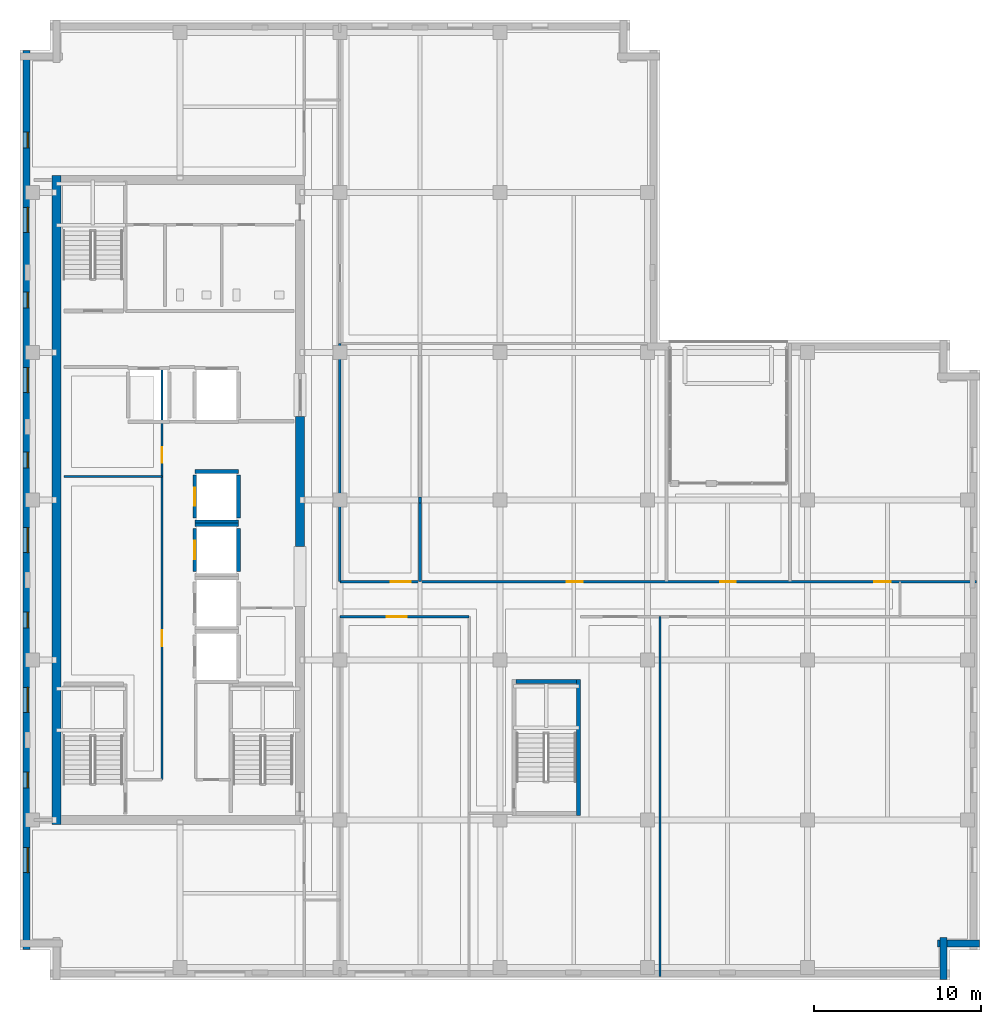
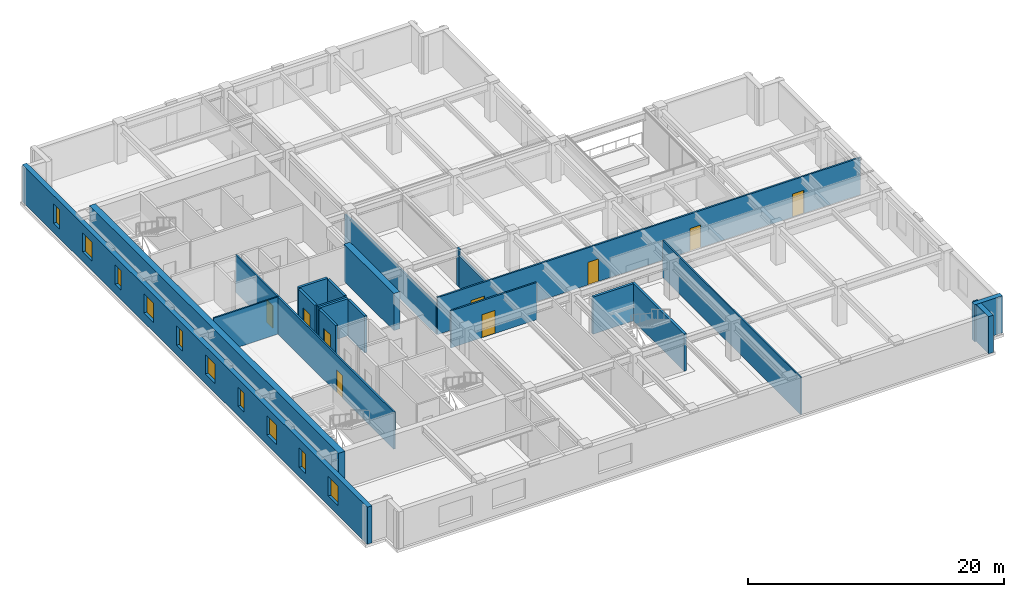
# One storey, part 4 of 14: 22 walls, 10 windows, 9 doors, 19 openings.
"""IFC4 building model written with IfcOpenShell, lengths in metres."""

import ifcopenshell
import ifcopenshell.guid

model = None  # the IFC model being written
_history = None  # IfcOwnerHistory: only IFC2X3 demands one
_inside = {}  # id of a spatial element -> (the spatial element, [elements in it])
_under = {}  # id of a project, library or spatial element -> (it, [spatial elements below it])
_declared = {}  # id of a project -> (the project, [libraries it declares])
_typed = {}  # id of a type object -> (the type object, [elements of that type])
_made_of = {}  # id of a material, layer set ... -> (it, [elements and type objects made of it])


def new_model(schema):
    """Start an empty IFC model of exactly this schema.

    Asked for "IFC4X3", IfcOpenShell would pick the latest addendum, in which some entities
    have other attributes; the version numbers below select the first issue.
    IFC2X3 requires an IfcOwnerHistory on every rooted entity: one is made here for all.
    """
    global model, _history
    if schema == "IFC4X3":
        model = ifcopenshell.file(schema_version=(4, 3, 0, 0))
    else:
        model = ifcopenshell.file(schema=schema)
    _inside.clear()
    _under.clear()
    _declared.clear()
    _typed.clear()
    _made_of.clear()
    _history = None
    if model.schema == "IFC2X3":
        org = make("IfcOrganization", Name="unknown")
        user = make(
            "IfcPersonAndOrganization",
            ThePerson=make("IfcPerson", FamilyName="unknown"),
            TheOrganization=org,
        )
        app = make(
            "IfcApplication",
            ApplicationDeveloper=org,
            Version="unknown",
            ApplicationFullName="unknown",
            ApplicationIdentifier="unknown",
        )
        _history = make(
            "IfcOwnerHistory",
            OwningUser=user,
            OwningApplication=app,
            ChangeAction="ADDED",
            CreationDate=0,
        )
    return model


def make(cls, **values):
    """One entity of the class cls with the attributes given. An attribute that is None is left unset."""
    return model.create_entity(
        cls, **{name: value for name, value in values.items() if value is not None}
    )


def rooted(cls, **values):
    """An entity with a GlobalId (a new one), such as an element, a storey or a relation."""
    return make(cls, GlobalId=ifcopenshell.guid.new(), OwnerHistory=_history, **values)


def si_unit(unit_type, name, prefix=None):
    """IfcSIUnit, for example si_unit("LENGTHUNIT", "METRE", prefix="MILLI")."""
    return make("IfcSIUnit", UnitType=unit_type, Prefix=prefix, Name=name)


def assignment(units):
    """IfcUnitAssignment: the units of a project."""
    return None if units is None else make("IfcUnitAssignment", Units=units)


def point(xyz):
    """IfcCartesianPoint."""
    return None if xyz is None else make("IfcCartesianPoint", Coordinates=xyz)


def direction(xyz):
    """IfcDirection."""
    return None if xyz is None else make("IfcDirection", DirectionRatios=xyz)


def frame(location, z_axis=None, x_axis=None):
    """IfcAxis2Placement3D, a coordinate frame: its origin and axes. An axis left out is left unset."""
    return make(
        "IfcAxis2Placement3D",
        Location=point(location),
        Axis=direction(z_axis),
        RefDirection=direction(x_axis),
    )


def frame_2d(location, x_axis=None):
    """IfcAxis2Placement2D, a coordinate frame in the plane: its origin and x axis."""
    return make(
        "IfcAxis2Placement2D", Location=point(location), RefDirection=direction(x_axis)
    )


def origin():
    """The frame at (0, 0, 0) with its axes left unset."""
    return frame((0.0, 0.0, 0.0))


def place(relative_to, where):
    """IfcLocalPlacement: puts the frame where relative to a parent placement (None: the world)."""
    return make(
        "IfcLocalPlacement", PlacementRelTo=relative_to, RelativePlacement=where
    )


def context(
    kind, dimensions, precision=None, world=None, true_north=None, identifier=None
):
    """IfcGeometricRepresentationContext, for example the 3D "Model" context."""
    return make(
        "IfcGeometricRepresentationContext",
        ContextIdentifier=identifier,
        ContextType=kind,
        CoordinateSpaceDimension=dimensions,
        Precision=precision,
        WorldCoordinateSystem=world,
        TrueNorth=true_north,
    )


def subcontext(parent, identifier, kind, view, scale=None):
    """IfcGeometricRepresentationSubContext, for example "Body" below "Model"."""
    return make(
        "IfcGeometricRepresentationSubContext",
        ContextIdentifier=identifier,
        ContextType=kind,
        ParentContext=parent,
        TargetScale=scale,
        TargetView=view,
    )


def project(units=None, contexts=None):
    """IfcProject with its units and contexts."""
    return rooted(
        "IfcProject",
        Name="project",
        RepresentationContexts=contexts,
        UnitsInContext=assignment(units),
    )


def spatial(cls, under=None, at=None, **own):
    """A site, building, storey or space (cls), placed at a placement, below another one or the project."""
    s = rooted(cls, ObjectPlacement=at, **own)
    if under is not None:
        _under.setdefault(under.id(), (under, []))[1].append(s)
    return s


def profile(cls, at=None, kind="AREA", **sizes):
    """A parametric profile (cls). Its sizes go by their IFC names, for example OverallWidth=200.0."""
    return make(cls, ProfileType=kind, Position=at, **sizes)


def rectangle(**sizes):
    """IfcRectangleProfileDef."""
    return profile("IfcRectangleProfileDef", **sizes)


def extrude(swept, where, along, depth):
    """IfcExtrudedAreaSolid: the profile swept, set in the frame where, extruded along a direction by depth."""
    return make(
        "IfcExtrudedAreaSolid",
        SweptArea=swept,
        Position=where,
        ExtrudedDirection=direction(along),
        Depth=depth,
    )


def shape(context_of_items, identifier, shape_type, items):
    """IfcShapeRepresentation: the items that make up one representation, for example the "Body"."""
    return make(
        "IfcShapeRepresentation",
        ContextOfItems=context_of_items,
        RepresentationIdentifier=identifier,
        RepresentationType=shape_type,
        Items=items,
    )


def material(Name=None, Category=None):
    """IfcMaterial."""
    return make("IfcMaterial", Name=Name, Category=Category)


def layer(
    of_material, thickness, ventilated=None, Name=None, Category=None, Priority=None
):
    """IfcMaterialLayer: one layer of a wall or slab, of a material (None: an air gap)."""
    return make(
        "IfcMaterialLayer",
        Material=of_material,
        LayerThickness=thickness,
        IsVentilated=ventilated,
        Name=Name,
        Category=Category,
        Priority=Priority,
    )


def layer_set(layers, Name=None):
    """IfcMaterialLayerSet."""
    return make("IfcMaterialLayerSet", MaterialLayers=layers, LayerSetName=Name)


def made_of(thing, what):
    """Note that an element or type object is made of a material, layer set ...; save() writes the relation."""
    if what is not None:
        _made_of.setdefault(what.id(), (what, []))[1].append(thing)
    return thing


def type_object(cls, material=None, **own):
    """A type object (cls), such as IfcWallType, which elements share."""
    return made_of(rooted(cls, **own), material)


def element(
    cls,
    number,
    at=None,
    inside=None,
    cuts=None,
    type_object=None,
    material=None,
    context=None,
    identifier="Body",
    shape_type=None,
    held_by="IfcProductDefinitionShape",
    body=None,
    shapes=None,
    **own,
):
    """One element of the class cls, such as IfcWall. Its Tag is "e" and its number.

    at: its placement. inside: the storey or other place that contains it. cuts: it is an
    opening in that element (IfcRelVoidsElement). A single representation is given by context,
    identifier, shape_type and body (its items); several are given by shapes. held_by: the class
    of the entity that holds the representations. save() writes the other relations.
    """
    e = rooted(cls, Tag="e%d" % number, ObjectPlacement=at, **own)
    if body is not None:
        shapes = [shape(context, identifier, shape_type, body)]
    if shapes is not None:
        e.Representation = make(held_by, Representations=shapes)
    if inside is not None:
        _inside.setdefault(inside.id(), (inside, []))[1].append(e)
    if cuts is not None:
        rooted(
            "IfcRelVoidsElement", RelatingBuildingElement=cuts, RelatedOpeningElement=e
        )
    if type_object is not None:
        _typed.setdefault(type_object.id(), (type_object, []))[1].append(e)
    return made_of(e, material)


def fill(opening, filler):
    """IfcRelFillsElement: the door or window that sits in an opening."""
    return rooted(
        "IfcRelFillsElement",
        RelatingOpeningElement=opening,
        RelatedBuildingElement=filler,
    )


def aggregate(whole, parts):
    """IfcRelAggregates: a whole, such as a stair, and the parts it consists of."""
    return rooted("IfcRelAggregates", RelatingObject=whole, RelatedObjects=parts)


def save(model, path):
    """Write the relations noted so far, then the file.

    IfcRelAggregates (storeys below a building ...), IfcRelContainedInSpatialStructure (elements
    in a storey), IfcRelDefinesByType, IfcRelAssociatesMaterial and IfcRelDeclares: one each for
    every whole, place, type object, material and project.
    """
    for whole, parts in _under.values():
        aggregate(whole, parts)
    for where, things in _inside.values():
        rooted(
            "IfcRelContainedInSpatialStructure",
            RelatedElements=things,
            RelatingStructure=where,
        )
    for kind, things in _typed.values():
        rooted("IfcRelDefinesByType", RelatedObjects=things, RelatingType=kind)
    for what, things in _made_of.values():
        rooted("IfcRelAssociatesMaterial", RelatedObjects=things, RelatingMaterial=what)
    for by, libraries in _declared.values():
        rooted("IfcRelDeclares", RelatingContext=by, RelatedDefinitions=libraries)
    model.write(path)


model = new_model("IFC4")

# Units and contexts
model_context = context("Model", 3, precision=1e-05, world=origin(), true_north=direction((0.0, 1.0)))
body_context = subcontext(model_context, "Body", "Model", "MODEL_VIEW")
ifc_project = project(units=[si_unit("LENGTHUNIT", "METRE"), si_unit("AREAUNIT", "SQUARE_METRE"), si_unit("VOLUMEUNIT", "CUBIC_METRE"), si_unit("PLANEANGLEUNIT", "RADIAN"), si_unit("MASSUNIT", "GRAM", prefix="KILO")], contexts=[model_context])

# Site, building, storey
site_placement = place(None, origin())
site = spatial("IfcSite", under=ifc_project, at=site_placement, CompositionType="ELEMENT")
building_placement = place(site_placement, origin())
building = spatial("IfcBuilding", under=site, at=building_placement, Name="Norrvale University Quadrangle", CompositionType="ELEMENT")
storey_placement = place(building_placement, frame((0.0, 0.0, 221.800048828125)))
storey = spatial("IfcBuildingStorey", under=building, at=storey_placement, Name="L56", CompositionType="ELEMENT", Elevation=221.800048828125)

# Walls
ifc_material_1 = material(Name="Buff Norman Clay Brick Masonry", Category="masonry")
ifc_layer_1 = layer(ifc_material_1, 0.419921875, Name="Buff Norman Clay Brick Masonry")
ifc_layer_set_1 = layer_set([ifc_layer_1], Name="Buff Norman Clay Brick Masonry")
wall_type_1 = type_object("IfcWallType", Name="Wall Buff Brick 420", PredefinedType="SOLIDWALL", material=ifc_layer_set_1)
for number, where, z_axis, x_axis, name in (
    (1, (55.409912109375, 0.0400390625, 0.0), (0.0, 0.0, 1.0), (0.0, 1.0, 0.0), "Exterior Brick Facade Wall L56-02.1"),
    (2, (55.06005859375, 2.18994140625, 0.0), (0.0, 0.0, 1.0), (1.0, 0.0, 0.0), "Exterior Brick Facade Wall L56-03.1"),
):
    element("IfcWall", number, at=place(storey_placement, frame(where, z_axis=z_axis, x_axis=x_axis)), inside=storey, type_object=wall_type_1, Name=name, PredefinedType="SOLIDWALL", context=body_context, shape_type="SweptSolid", body=[
        extrude(rectangle(XDim=2.5, YDim=0.419921875, at=frame_2d((1.25, 0.0))), origin(), (0.0, 0.0, 1.0), 3.5400390625),
    ])

# Wall, openings, windows
wall_1_placement = place(storey_placement, frame((0.389892578125, 55.760009765625, 0.0), z_axis=(0.0, 0.0, 1.0), x_axis=(0.0, -1.0, 0.0)))
wall_1 = element("IfcWall", 3, at=wall_1_placement, inside=storey, type_object=wall_type_1, Name="Exterior Brick Facade Wall L56-14.1", PredefinedType="SOLIDWALL", context=body_context, shape_type="SweptSolid", body=[
    extrude(rectangle(XDim=53.919921875, YDim=0.419921875, at=frame_2d((26.9599609375, 0.0))), origin(), (0.0, 0.0, 1.0), 3.5400390625),
])
opening_1_placement = place(wall_1_placement, frame((4.885009765625, 0.0, 0.89990234375)))
opening_1 = element("IfcOpeningElement", 4, at=opening_1_placement, cuts=wall_1, Name="Opening W04", PredefinedType="OPENING", context=body_context, shape_type="SweptSolid", body=[
    extrude(rectangle(XDim=0.949951171875, YDim=1.85009765625, at=frame_2d((0.47509765625, 0.925048828125))), frame((0.0, 0.221923828125, 0.0), z_axis=(0.0, -1.0, 0.0), x_axis=(1.0, 0.0, 0.0)), (0.0, 0.0, 1.0), 0.44384765625),
])
opening_2_placement = place(wall_1_placement, frame((9.409912109375, 0.0, 0.89990234375)))
opening_2 = element("IfcOpeningElement", 5, at=opening_2_placement, cuts=wall_1, Name="Opening W03", PredefinedType="OPENING", context=body_context, shape_type="SweptSolid", body=[
    extrude(rectangle(XDim=1.5, YDim=1.85009765625, at=frame_2d((0.75, 0.925048828125))), frame((0.0, 0.221923828125, 0.0), z_axis=(0.0, -1.0, 0.0), x_axis=(1.0, 0.0, 0.0)), (0.0, 0.0, 1.0), 0.44384765625),
])
opening_3_placement = place(wall_1_placement, frame((14.485107421875, 0.0, 0.89990234375)))
opening_3 = element("IfcOpeningElement", 6, at=opening_3_placement, cuts=wall_1, Name="Opening W04", PredefinedType="OPENING", context=body_context, shape_type="SweptSolid", body=[
    extrude(rectangle(XDim=0.949951171875, YDim=1.85009765625, at=frame_2d((0.47509765625, 0.925048828125))), frame((0.0, 0.221923828125, 0.0), z_axis=(0.0, -1.0, 0.0), x_axis=(1.0, 0.0, 0.0)), (0.0, 0.0, 1.0), 0.44384765625),
])
opening_4_placement = place(wall_1_placement, frame((19.010009765625, 0.0, 0.89990234375)))
opening_4 = element("IfcOpeningElement", 7, at=opening_4_placement, cuts=wall_1, Name="Opening W03", PredefinedType="OPENING", context=body_context, shape_type="SweptSolid", body=[
    extrude(rectangle(XDim=1.5, YDim=1.85009765625, at=frame_2d((0.75, 0.925048828125))), frame((0.0, 0.221923828125, 0.0), z_axis=(0.0, -1.0, 0.0), x_axis=(1.0, 0.0, 0.0)), (0.0, 0.0, 1.0), 0.44384765625),
])
opening_5_placement = place(wall_1_placement, frame((24.0849609375, 0.0, 0.89990234375)))
opening_5 = element("IfcOpeningElement", 8, at=opening_5_placement, cuts=wall_1, Name="Opening W04", PredefinedType="OPENING", context=body_context, shape_type="SweptSolid", body=[
    extrude(rectangle(XDim=0.949951171875, YDim=1.85009765625, at=frame_2d((0.47509765625, 0.925048828125))), frame((0.0, 0.221923828125, 0.0), z_axis=(0.0, -1.0, 0.0), x_axis=(1.0, 0.0, 0.0)), (0.0, 0.0, 1.0), 0.44384765625),
])
opening_6_placement = place(wall_1_placement, frame((28.610107421875, 0.0, 0.89990234375)))
opening_6 = element("IfcOpeningElement", 9, at=opening_6_placement, cuts=wall_1, Name="Opening W03", PredefinedType="OPENING", context=body_context, shape_type="SweptSolid", body=[
    extrude(rectangle(XDim=1.5, YDim=1.85009765625, at=frame_2d((0.75, 0.925048828125))), frame((0.0, 0.221923828125, 0.0), z_axis=(0.0, -1.0, 0.0), x_axis=(1.0, 0.0, 0.0)), (0.0, 0.0, 1.0), 0.44384765625),
])
opening_7_placement = place(wall_1_placement, frame((33.68505859375, 0.0, 0.89990234375)))
opening_7 = element("IfcOpeningElement", 10, at=opening_7_placement, cuts=wall_1, Name="Opening W04", PredefinedType="OPENING", context=body_context, shape_type="SweptSolid", body=[
    extrude(rectangle(XDim=0.949951171875, YDim=1.85009765625, at=frame_2d((0.47509765625, 0.925048828125))), frame((0.0, 0.221923828125, 0.0), z_axis=(0.0, -1.0, 0.0), x_axis=(1.0, 0.0, 0.0)), (0.0, 0.0, 1.0), 0.44384765625),
])
opening_8_placement = place(wall_1_placement, frame((38.2099609375, 0.0, 0.89990234375)))
opening_8 = element("IfcOpeningElement", 11, at=opening_8_placement, cuts=wall_1, Name="Opening W03", PredefinedType="OPENING", context=body_context, shape_type="SweptSolid", body=[
    extrude(rectangle(XDim=1.5, YDim=1.85009765625, at=frame_2d((0.75, 0.925048828125))), frame((0.0, 0.221923828125, 0.0), z_axis=(0.0, -1.0, 0.0), x_axis=(1.0, 0.0, 0.0)), (0.0, 0.0, 1.0), 0.44384765625),
])
opening_9_placement = place(wall_1_placement, frame((43.284912109375, 0.0, 0.89990234375)))
opening_9 = element("IfcOpeningElement", 12, at=opening_9_placement, cuts=wall_1, Name="Opening W04", PredefinedType="OPENING", context=body_context, shape_type="SweptSolid", body=[
    extrude(rectangle(XDim=0.949951171875, YDim=1.85009765625, at=frame_2d((0.47509765625, 0.925048828125))), frame((0.0, 0.221923828125, 0.0), z_axis=(0.0, -1.0, 0.0), x_axis=(1.0, 0.0, 0.0)), (0.0, 0.0, 1.0), 0.44384765625),
])
opening_10_placement = place(wall_1_placement, frame((47.81005859375, 0.0, 0.89990234375)))
opening_10 = element("IfcOpeningElement", 13, at=opening_10_placement, cuts=wall_1, Name="Opening W03", PredefinedType="OPENING", context=body_context, shape_type="SweptSolid", body=[
    extrude(rectangle(XDim=1.5, YDim=1.85009765625, at=frame_2d((0.75, 0.925048828125))), frame((0.0, 0.221923828125, 0.0), z_axis=(0.0, -1.0, 0.0), x_axis=(1.0, 0.0, 0.0)), (0.0, 0.0, 1.0), 0.44384765625),
])
ifc_material_2 = material(Name="Triple Low-E Argon Glazing", Category="glass")
window_type_1 = type_object("IfcWindowType", Name="Window Narrow Pier 950x2300", PartitioningType="SINGLE_PANEL", PredefinedType="WINDOW", material=ifc_material_2)
window_1_placement = place(opening_1_placement, origin())
window_1 = element("IfcWindow", 14, at=window_1_placement, inside=storey, type_object=window_type_1, Name="Window Narrow Pier 950x2300 WIN-L56-E14-1-01", OverallHeight=1.85009765625, OverallWidth=0.949951171875, PartitioningType="SINGLE_PANEL", PredefinedType="WINDOW", context=body_context, shape_type="SweptSolid", body=[
    extrude(rectangle(XDim=0.949951171875, YDim=1.85009765625, at=frame_2d((0.47509765625, 0.925048828125))), frame((0.0, 0.110107421875, 0.0), z_axis=(0.0, -1.0, 0.0), x_axis=(1.0, 0.0, 0.0)), (0.0, 0.0, 1.0), 0.06005859375),
])
fill(opening_1, window_1)
window_2_placement = place(opening_3_placement, origin())
window_2 = element("IfcWindow", 15, at=window_2_placement, inside=storey, type_object=window_type_1, Name="Window Narrow Pier 950x2300 WIN-L56-E14-1-03", OverallHeight=1.85009765625, OverallWidth=0.949951171875, PartitioningType="SINGLE_PANEL", PredefinedType="WINDOW", context=body_context, shape_type="SweptSolid", body=[
    extrude(rectangle(XDim=0.949951171875, YDim=1.85009765625, at=frame_2d((0.47509765625, 0.925048828125))), frame((0.0, 0.110107421875, 0.0), z_axis=(0.0, -1.0, 0.0), x_axis=(1.0, 0.0, 0.0)), (0.0, 0.0, 1.0), 0.06005859375),
])
fill(opening_3, window_2)
window_3_placement = place(opening_5_placement, origin())
window_3 = element("IfcWindow", 16, at=window_3_placement, inside=storey, type_object=window_type_1, Name="Window Narrow Pier 950x2300 WIN-L56-E14-1-05", OverallHeight=1.85009765625, OverallWidth=0.949951171875, PartitioningType="SINGLE_PANEL", PredefinedType="WINDOW", context=body_context, shape_type="SweptSolid", body=[
    extrude(rectangle(XDim=0.949951171875, YDim=1.85009765625, at=frame_2d((0.47509765625, 0.925048828125))), frame((0.0, 0.110107421875, 0.0), z_axis=(0.0, -1.0, 0.0), x_axis=(1.0, 0.0, 0.0)), (0.0, 0.0, 1.0), 0.06005859375),
])
fill(opening_5, window_3)
window_4_placement = place(opening_7_placement, origin())
window_4 = element("IfcWindow", 17, at=window_4_placement, inside=storey, type_object=window_type_1, Name="Window Narrow Pier 950x2300 WIN-L56-E14-1-07", OverallHeight=1.85009765625, OverallWidth=0.949951171875, PartitioningType="SINGLE_PANEL", PredefinedType="WINDOW", context=body_context, shape_type="SweptSolid", body=[
    extrude(rectangle(XDim=0.949951171875, YDim=1.85009765625, at=frame_2d((0.47509765625, 0.925048828125))), frame((0.0, 0.110107421875, 0.0), z_axis=(0.0, -1.0, 0.0), x_axis=(1.0, 0.0, 0.0)), (0.0, 0.0, 1.0), 0.06005859375),
])
fill(opening_7, window_4)
window_5_placement = place(opening_9_placement, origin())
window_5 = element("IfcWindow", 18, at=window_5_placement, inside=storey, type_object=window_type_1, Name="Window Narrow Pier 950x2300 WIN-L56-E14-1-09", OverallHeight=1.85009765625, OverallWidth=0.949951171875, PartitioningType="SINGLE_PANEL", PredefinedType="WINDOW", context=body_context, shape_type="SweptSolid", body=[
    extrude(rectangle(XDim=0.949951171875, YDim=1.85009765625, at=frame_2d((0.47509765625, 0.925048828125))), frame((0.0, 0.110107421875, 0.0), z_axis=(0.0, -1.0, 0.0), x_axis=(1.0, 0.0, 0.0)), (0.0, 0.0, 1.0), 0.06005859375),
])
fill(opening_9, window_5)
window_type_2 = type_object("IfcWindowType", Name="Window Studio 1500x2300", PartitioningType="DOUBLE_PANEL_VERTICAL", PredefinedType="WINDOW", material=ifc_material_2)
window_6_placement = place(opening_2_placement, origin())
window_6 = element("IfcWindow", 19, at=window_6_placement, inside=storey, type_object=window_type_2, Name="Window Studio 1500x2300 WIN-L56-E14-1-02", OverallHeight=1.85009765625, OverallWidth=1.5, PartitioningType="DOUBLE_PANEL_VERTICAL", PredefinedType="WINDOW", context=body_context, shape_type="SweptSolid", body=[
    extrude(rectangle(XDim=1.5, YDim=1.85009765625, at=frame_2d((0.75, 0.925048828125))), frame((0.0, 0.110107421875, 0.0), z_axis=(0.0, -1.0, 0.0), x_axis=(1.0, 0.0, 0.0)), (0.0, 0.0, 1.0), 0.06005859375),
])
fill(opening_2, window_6)
window_7_placement = place(opening_4_placement, origin())
window_7 = element("IfcWindow", 20, at=window_7_placement, inside=storey, type_object=window_type_2, Name="Window Studio 1500x2300 WIN-L56-E14-1-04", OverallHeight=1.85009765625, OverallWidth=1.5, PartitioningType="DOUBLE_PANEL_VERTICAL", PredefinedType="WINDOW", context=body_context, shape_type="SweptSolid", body=[
    extrude(rectangle(XDim=1.5, YDim=1.85009765625, at=frame_2d((0.75, 0.925048828125))), frame((0.0, 0.110107421875, 0.0), z_axis=(0.0, -1.0, 0.0), x_axis=(1.0, 0.0, 0.0)), (0.0, 0.0, 1.0), 0.06005859375),
])
fill(opening_4, window_7)
window_8_placement = place(opening_6_placement, origin())
window_8 = element("IfcWindow", 21, at=window_8_placement, inside=storey, type_object=window_type_2, Name="Window Studio 1500x2300 WIN-L56-E14-1-06", OverallHeight=1.85009765625, OverallWidth=1.5, PartitioningType="DOUBLE_PANEL_VERTICAL", PredefinedType="WINDOW", context=body_context, shape_type="SweptSolid", body=[
    extrude(rectangle(XDim=1.5, YDim=1.85009765625, at=frame_2d((0.75, 0.925048828125))), frame((0.0, 0.110107421875, 0.0), z_axis=(0.0, -1.0, 0.0), x_axis=(1.0, 0.0, 0.0)), (0.0, 0.0, 1.0), 0.06005859375),
])
fill(opening_6, window_8)
window_9_placement = place(opening_8_placement, origin())
window_9 = element("IfcWindow", 22, at=window_9_placement, inside=storey, type_object=window_type_2, Name="Window Studio 1500x2300 WIN-L56-E14-1-08", OverallHeight=1.85009765625, OverallWidth=1.5, PartitioningType="DOUBLE_PANEL_VERTICAL", PredefinedType="WINDOW", context=body_context, shape_type="SweptSolid", body=[
    extrude(rectangle(XDim=1.5, YDim=1.85009765625, at=frame_2d((0.75, 0.925048828125))), frame((0.0, 0.110107421875, 0.0), z_axis=(0.0, -1.0, 0.0), x_axis=(1.0, 0.0, 0.0)), (0.0, 0.0, 1.0), 0.06005859375),
])
fill(opening_8, window_9)
window_10_placement = place(opening_10_placement, origin())
window_10 = element("IfcWindow", 23, at=window_10_placement, inside=storey, type_object=window_type_2, Name="Window Studio 1500x2300 WIN-L56-E14-1-10", OverallHeight=1.85009765625, OverallWidth=1.5, PartitioningType="DOUBLE_PANEL_VERTICAL", PredefinedType="WINDOW", context=body_context, shape_type="SweptSolid", body=[
    extrude(rectangle(XDim=1.5, YDim=1.85009765625, at=frame_2d((0.75, 0.925048828125))), frame((0.0, 0.110107421875, 0.0), z_axis=(0.0, -1.0, 0.0), x_axis=(1.0, 0.0, 0.0)), (0.0, 0.0, 1.0), 0.06005859375),
])
fill(opening_10, window_10)

# Walls
ifc_material_3 = material(Name="Concrete C60/75", Category="concrete")
ifc_layer_2 = layer(ifc_material_3, 0.550048828125, Name="Concrete C60/75")
ifc_layer_set_2 = layer_set([ifc_layer_2], Name="Concrete C60/75")
wall_type_2 = type_object("IfcWallType", Name="Wall Core 550", PredefinedType="SHEAR", material=ifc_layer_set_2)
wall_2_placement = place(storey_placement, frame((2.199951171875, 9.324951171875, 0.0), z_axis=(0.0, 0.0, 1.0), x_axis=(0.0, 1.0, 0.0)))
element("IfcWall", 24, at=wall_2_placement, inside=storey, type_object=wall_type_2, Name="Tower Core Shear Wall L56-W", PredefinedType="SHEAR", context=body_context, shape_type="SweptSolid", body=[
    extrude(rectangle(XDim=38.949951171875, YDim=0.550048828125, at=frame_2d((19.47509765625, 0.0))), origin(), (0.0, 0.0, 1.0), 3.5400390625),
])
wall_3_placement = place(storey_placement, frame((16.800048828125, 26.0, 0.0), z_axis=(0.0, 0.0, 1.0), x_axis=(0.0, 1.0, 0.0)))
element("IfcWall", 25, at=wall_3_placement, inside=storey, type_object=wall_type_2, Name="Tower Core Shear Wall L56-E2", PredefinedType="SHEAR", context=body_context, shape_type="SweptSolid", body=[
    extrude(rectangle(XDim=7.800048828125, YDim=0.550048828125, at=frame_2d((3.89990234375, 0.0))), origin(), (0.0, 0.0, 1.0), 3.5400390625),
])
ifc_material_4 = material(Name="Standard Academic Gypsum Partition")
ifc_layer_3 = layer(ifc_material_4, 0.125, Name="Standard Academic Gypsum Partition")
ifc_layer_set_3 = layer_set([ifc_layer_3], Name="Standard Academic Gypsum Partition")
wall_type_3 = type_object("IfcWallType", Name="Wall Gypsum Academic 125", PredefinedType="PARTITIONING", material=ifc_layer_set_3)
wall_4_placement = place(storey_placement, frame((2.64990234375, 30.199951171875, 0.0), z_axis=(0.0, 0.0, 1.0), x_axis=(1.0, 0.0, 0.0)))
element("IfcWall", 26, at=wall_4_placement, inside=storey, type_object=wall_type_3, Name="Interior Partition WL-L56-REC-M", PredefinedType="PARTITIONING", context=body_context, shape_type="SweptSolid", body=[
    extrude(rectangle(XDim=5.8701171875, YDim=0.125, at=frame_2d((2.93505859375, 0.0))), origin(), (0.0, 0.0, 1.0), 3.5400390625),
])
wall_5_placement = place(storey_placement, frame((38.39990234375, 0.219970703125, 0.0), z_axis=(0.0, 0.0, 1.0), x_axis=(0.0, 1.0, 0.0)))
element("IfcWall", 27, at=wall_5_placement, inside=storey, type_object=wall_type_3, Name="Interior Partition WL-L56-SEP2", PredefinedType="PARTITIONING", context=body_context, shape_type="SweptSolid", body=[
    extrude(rectangle(XDim=21.580078125, YDim=0.125, at=frame_2d((10.7900390625, 0.0))), origin(), (0.0, 0.0, 1.0), 3.5400390625),
])

# Wall, openings, doors
ifc_material_5 = material(Name="Fire-Rated Gypsum Stud Partition")
ifc_layer_4 = layer(ifc_material_5, 0.14990234375, Name="Fire-Rated Gypsum Stud Partition")
ifc_layer_set_4 = layer_set([ifc_layer_4], Name="Fire-Rated Gypsum Stud Partition")
wall_type_4 = type_object("IfcWallType", Name="Wall Gypsum Corridor 150", PredefinedType="PARTITIONING", material=ifc_layer_set_4)
wall_6_placement = place(storey_placement, frame((8.52001953125, 12.02001953125, 0.0), z_axis=(0.0, 0.0, 1.0), x_axis=(0.0, 1.0, 0.0)))
wall_6 = element("IfcWall", 28, at=wall_6_placement, inside=storey, type_object=wall_type_4, Name="Interior Partition WL-L56-REC-E", PredefinedType="PARTITIONING", context=body_context, shape_type="SweptSolid", body=[
    extrude(rectangle(XDim=24.760009765625, YDim=0.14990234375, at=frame_2d((12.3798828125, 0.0))), origin(), (0.0, 0.0, 1.0), 3.5400390625),
])
opening_11_placement = place(wall_6_placement, frame((8.0, 0.0, 0.0)))
opening_11 = element("IfcOpeningElement", 29, at=opening_11_placement, cuts=wall_6, Name="Opening D07", PredefinedType="OPENING", context=body_context, shape_type="SweptSolid", body=[
    extrude(rectangle(XDim=0.949951171875, YDim=2.14990234375, at=frame_2d((0.47509765625, 1.074951171875))), frame((0.0, 0.0869140625, 0.0), z_axis=(0.0, -1.0, 0.0), x_axis=(1.0, 0.0, 0.0)), (0.0, 0.0, 1.0), 0.173828125),
])
opening_12_placement = place(wall_6_placement, frame((19.0, 0.0, 0.0)))
opening_12 = element("IfcOpeningElement", 30, at=opening_12_placement, cuts=wall_6, Name="Opening D07", PredefinedType="OPENING", context=body_context, shape_type="SweptSolid", body=[
    extrude(rectangle(XDim=0.949951171875, YDim=2.14990234375, at=frame_2d((0.47509765625, 1.074951171875))), frame((0.0, 0.0869140625, 0.0), z_axis=(0.0, -1.0, 0.0), x_axis=(1.0, 0.0, 0.0)), (0.0, 0.0, 1.0), 0.173828125),
])
ifc_material_6 = material(Name="Solid-Core Maple Door", Category="wood")
door_type_1 = type_object("IfcDoorType", Name="Door Office 950x2150", OperationType="NOTDEFINED", PredefinedType="DOOR", material=ifc_material_6)
door_1_placement = place(opening_11_placement, origin())
door_1 = element("IfcDoor", 31, at=door_1_placement, inside=storey, type_object=door_type_1, Name="Door Office 950x2150 DR-L56-REC1", OperationType="SINGLE_SWING_LEFT", OverallHeight=2.14990234375, OverallWidth=0.949951171875, PredefinedType="DOOR", context=body_context, shape_type="SweptSolid", body=[
    extrude(rectangle(XDim=0.949951171875, YDim=2.14990234375, at=frame_2d((0.47509765625, 1.074951171875))), frame((0.0, 0.02490234375, 0.0), z_axis=(0.0, -1.0, 0.0), x_axis=(1.0, 0.0, 0.0)), (0.0, 0.0, 1.0), 0.050048828125),
])
fill(opening_11, door_1)
door_2_placement = place(opening_12_placement, origin())
door_2 = element("IfcDoor", 32, at=door_2_placement, inside=storey, type_object=door_type_1, Name="Door Office 950x2150 DR-L56-REC2", OperationType="SINGLE_SWING_RIGHT", OverallHeight=2.14990234375, OverallWidth=0.949951171875, PredefinedType="DOOR", context=body_context, shape_type="SweptSolid", body=[
    extrude(rectangle(XDim=0.949951171875, YDim=2.14990234375, at=frame_2d((0.47509765625, 1.074951171875))), frame((0.0, 0.02490234375, 0.0), z_axis=(0.0, -1.0, 0.0), x_axis=(1.0, 0.0, 0.0)), (0.0, 0.0, 1.0), 0.050048828125),
])
fill(opening_12, door_2)

# Wall, opening, door
wall_7_placement = place(storey_placement, frame((19.199951171875, 21.800048828125, 0.0), z_axis=(0.0, 0.0, 1.0), x_axis=(1.0, 0.0, 0.0)))
wall_7 = element("IfcWall", 33, at=wall_7_placement, inside=storey, type_object=wall_type_4, Name="Interior Partition WL-L56-SEW1", PredefinedType="PARTITIONING", context=body_context, shape_type="SweptSolid", body=[
    extrude(rectangle(XDim=7.75, YDim=0.14990234375, at=frame_2d((3.875, 0.0))), origin(), (0.0, 0.0, 1.0), 3.5400390625),
])
opening_13_placement = place(wall_7_placement, frame((2.800048828125, 0.0, 0.0)))
opening_13 = element("IfcOpeningElement", 34, at=opening_13_placement, cuts=wall_7, Name="Opening D05", PredefinedType="OPENING", context=body_context, shape_type="SweptSolid", body=[
    extrude(rectangle(XDim=1.199951171875, YDim=2.199951171875, at=frame_2d((0.60009765625, 1.10009765625))), frame((0.0, 0.0869140625, 0.0), z_axis=(0.0, -1.0, 0.0), x_axis=(1.0, 0.0, 0.0)), (0.0, 0.0, 1.0), 0.173828125),
])
ifc_material_7 = material(Name="Acoustic Oak Classroom Door", Category="wood")
door_type_2 = type_object("IfcDoorType", Name="Door Classroom 1200x2200", OperationType="NOTDEFINED", PredefinedType="DOOR", material=ifc_material_7)
door_3_placement = place(opening_13_placement, origin())
door_3 = element("IfcDoor", 35, at=door_3_placement, inside=storey, type_object=door_type_2, Name="Door Classroom 1200x2200 DR-L56-SE1", OperationType="SINGLE_SWING_LEFT", OverallHeight=2.199951171875, OverallWidth=1.199951171875, PredefinedType="DOOR", context=body_context, shape_type="SweptSolid", body=[
    extrude(rectangle(XDim=1.199951171875, YDim=2.199951171875, at=frame_2d((0.60009765625, 1.10009765625))), frame((0.0, 0.02490234375, 0.0), z_axis=(0.0, -1.0, 0.0), x_axis=(1.0, 0.0, 0.0)), (0.0, 0.0, 1.0), 0.050048828125),
])
fill(opening_13, door_3)

# Wall, openings, doors
wall_8_placement = place(storey_placement, frame((19.199951171875, 23.89990234375, 0.0), z_axis=(0.0, 0.0, 1.0), x_axis=(1.0, 0.0, 0.0)))
wall_8 = element("IfcWall", 36, at=wall_8_placement, inside=storey, type_object=wall_type_4, Name="Interior Partition WL-L56-MECW", PredefinedType="PARTITIONING", context=body_context, shape_type="SweptSolid", body=[
    extrude(rectangle(XDim=38.179931640625, YDim=0.14990234375, at=frame_2d((19.08984375, 0.0))), origin(), (0.0, 0.0, 1.0), 3.5400390625),
])
opening_14_placement = place(wall_8_placement, frame((3.050048828125, 0.0, 0.0)))
opening_14 = element("IfcOpeningElement", 37, at=opening_14_placement, cuts=wall_8, Name="Opening D05", PredefinedType="OPENING", context=body_context, shape_type="SweptSolid", body=[
    extrude(rectangle(XDim=1.199951171875, YDim=2.199951171875, at=frame_2d((0.60009765625, 1.10009765625))), frame((0.0, 0.0869140625, 0.0), z_axis=(0.0, -1.0, 0.0), x_axis=(1.0, 0.0, 0.0)), (0.0, 0.0, 1.0), 0.173828125),
])
opening_15_placement = place(wall_8_placement, frame((13.60009765625, 0.0, 0.0)))
opening_15 = element("IfcOpeningElement", 38, at=opening_15_placement, cuts=wall_8, Name="Opening D07", PredefinedType="OPENING", context=body_context, shape_type="SweptSolid", body=[
    extrude(rectangle(XDim=0.949951171875, YDim=2.14990234375, at=frame_2d((0.47509765625, 1.074951171875))), frame((0.0, 0.0869140625, 0.0), z_axis=(0.0, -1.0, 0.0), x_axis=(1.0, 0.0, 0.0)), (0.0, 0.0, 1.0), 0.173828125),
])
opening_16_placement = place(wall_8_placement, frame((22.800048828125, 0.0, 0.0)))
opening_16 = element("IfcOpeningElement", 39, at=opening_16_placement, cuts=wall_8, Name="Opening D07", PredefinedType="OPENING", context=body_context, shape_type="SweptSolid", body=[
    extrude(rectangle(XDim=0.949951171875, YDim=2.14990234375, at=frame_2d((0.47509765625, 1.074951171875))), frame((0.0, 0.0869140625, 0.0), z_axis=(0.0, -1.0, 0.0), x_axis=(1.0, 0.0, 0.0)), (0.0, 0.0, 1.0), 0.173828125),
])
opening_17_placement = place(wall_8_placement, frame((32.050048828125, 0.0, 0.0)))
opening_17 = element("IfcOpeningElement", 40, at=opening_17_placement, cuts=wall_8, Name="Opening D04", PredefinedType="OPENING", context=body_context, shape_type="SweptSolid", body=[
    extrude(rectangle(XDim=1.0, YDim=2.199951171875, at=frame_2d((0.5, 1.10009765625))), frame((0.0, 0.0869140625, 0.0), z_axis=(0.0, -1.0, 0.0), x_axis=(1.0, 0.0, 0.0)), (0.0, 0.0, 1.0), 0.173828125),
])
door_4_placement = place(opening_14_placement, origin())
door_4 = element("IfcDoor", 41, at=door_4_placement, inside=storey, type_object=door_type_2, Name="Door Classroom 1200x2200 DR-L56-ME01", OperationType="SINGLE_SWING_LEFT", OverallHeight=2.199951171875, OverallWidth=1.199951171875, PredefinedType="DOOR", context=body_context, shape_type="SweptSolid", body=[
    extrude(rectangle(XDim=1.199951171875, YDim=2.199951171875, at=frame_2d((0.60009765625, 1.10009765625))), frame((0.0, 0.02490234375, 0.0), z_axis=(0.0, -1.0, 0.0), x_axis=(1.0, 0.0, 0.0)), (0.0, 0.0, 1.0), 0.050048828125),
])
fill(opening_14, door_4)
ifc_material_8 = material(Name="Solid-Core Oak Fire Door", Category="wood")
door_type_3 = type_object("IfcDoorType", Name="Door Corridor 1000x2200", OperationType="NOTDEFINED", PredefinedType="DOOR", material=ifc_material_8)
door_5_placement = place(opening_17_placement, origin())
door_5 = element("IfcDoor", 42, at=door_5_placement, inside=storey, type_object=door_type_3, Name="Door Corridor 1000x2200 DR-L56-ME04", OperationType="SINGLE_SWING_RIGHT", OverallHeight=2.199951171875, OverallWidth=1.0, PredefinedType="DOOR", context=body_context, shape_type="SweptSolid", body=[
    extrude(rectangle(XDim=1.0, YDim=2.199951171875, at=frame_2d((0.5, 1.10009765625))), frame((0.0, 0.02490234375, 0.0), z_axis=(0.0, -1.0, 0.0), x_axis=(1.0, 0.0, 0.0)), (0.0, 0.0, 1.0), 0.050048828125),
])
fill(opening_17, door_5)
door_6_placement = place(opening_15_placement, origin())
door_6 = element("IfcDoor", 43, at=door_6_placement, inside=storey, type_object=door_type_1, Name="Door Office 950x2150 DR-L56-ME02", OperationType="SINGLE_SWING_RIGHT", OverallHeight=2.14990234375, OverallWidth=0.949951171875, PredefinedType="DOOR", context=body_context, shape_type="SweptSolid", body=[
    extrude(rectangle(XDim=0.949951171875, YDim=2.14990234375, at=frame_2d((0.47509765625, 1.074951171875))), frame((0.0, 0.02490234375, 0.0), z_axis=(0.0, -1.0, 0.0), x_axis=(1.0, 0.0, 0.0)), (0.0, 0.0, 1.0), 0.050048828125),
])
fill(opening_15, door_6)
door_7_placement = place(opening_16_placement, origin())
door_7 = element("IfcDoor", 44, at=door_7_placement, inside=storey, type_object=door_type_1, Name="Door Office 950x2150 DR-L56-ME03", OperationType="SINGLE_SWING_LEFT", OverallHeight=2.14990234375, OverallWidth=0.949951171875, PredefinedType="DOOR", context=body_context, shape_type="SweptSolid", body=[
    extrude(rectangle(XDim=0.949951171875, YDim=2.14990234375, at=frame_2d((0.47509765625, 1.074951171875))), frame((0.0, 0.02490234375, 0.0), z_axis=(0.0, -1.0, 0.0), x_axis=(1.0, 0.0, 0.0)), (0.0, 0.0, 1.0), 0.050048828125),
])
fill(opening_16, door_7)

# Walls
wall_9_placement = place(storey_placement, frame((19.199951171875, 23.89990234375, 0.0), z_axis=(0.0, 0.0, 1.0), x_axis=(0.0, 1.0, 0.0)))
element("IfcWall", 45, at=wall_9_placement, inside=storey, type_object=wall_type_4, Name="Interior Partition WL-L56-ME-W", PredefinedType="PARTITIONING", context=body_context, shape_type="SweptSolid", body=[
    extrude(rectangle(XDim=14.280029296875, YDim=0.14990234375, at=frame_2d((7.14013671875, 0.0))), origin(), (0.0, 0.0, 1.0), 2.844970703125),
])
ifc_material_9 = material(Name="Acoustic Double-Stud Gypsum Partition")
ifc_layer_5 = layer(ifc_material_9, 0.179931640625, Name="Acoustic Double-Stud Gypsum Partition")
ifc_layer_set_5 = layer_set([ifc_layer_5], Name="Acoustic Double-Stud Gypsum Partition")
wall_type_5 = type_object("IfcWallType", Name="Wall Gypsum Lecture 180", PredefinedType="PARTITIONING", material=ifc_layer_set_5)
wall_10_placement = place(storey_placement, frame((24.0, 23.89990234375, 0.0), z_axis=(0.0, 0.0, 1.0), x_axis=(0.0, 1.0, 0.0)))
element("IfcWall", 46, at=wall_10_placement, inside=storey, type_object=wall_type_5, Name="Interior Partition WL-L56-MEP01", PredefinedType="PARTITIONING", context=body_context, shape_type="SweptSolid", body=[
    extrude(rectangle(XDim=4.72265625, YDim=0.179931640625, at=frame_2d((2.361328125, 0.0))), origin(), (0.0, 0.0, 1.0), 2.995849609375),
])
wall_11_placement = place(storey_placement, frame((24.0, 28.62255859375, 0.0), z_axis=(0.0, 0.0, 1.0), x_axis=(0.0, 1.0, 0.0)))
element("IfcWall", 47, at=wall_11_placement, inside=storey, type_object=wall_type_5, Name="Interior Partition WL-L56-MEP01-B2", PredefinedType="PARTITIONING", context=body_context, shape_type="SweptSolid", body=[
    extrude(rectangle(XDim=0.35498046875, YDim=0.179931640625, at=frame_2d((0.177490234375, 0.0))), origin(), (0.0, 0.0, 1.0), 3.5400390625),
])
ifc_material_10 = material(Name="Concrete Blockwork 20 MPa Fire Shaft", Category="masonry")
ifc_layer_6 = layer(ifc_material_10, 0.219970703125, Name="Concrete Blockwork 20 MPa Fire Shaft")
ifc_layer_set_6 = layer_set([ifc_layer_6], Name="Concrete Blockwork 20 MPa Fire Shaft")
wall_type_6 = type_object("IfcWallType", Name="Wall Shaft 220", PredefinedType="SOLIDWALL", material=ifc_layer_set_6)
wall_12_placement = place(storey_placement, frame((33.510009765625, 9.8798828125, 0.0), z_axis=(0.0, 0.0, 1.0), x_axis=(0.0, 1.0, 0.0)))
element("IfcWall", 48, at=wall_12_placement, inside=storey, type_object=wall_type_6, Name="Stair ST-04 East Shaft Wall L56", PredefinedType="SOLIDWALL", context=body_context, shape_type="SweptSolid", body=[
    extrude(rectangle(XDim=8.14013671875, YDim=0.219970703125, at=frame_2d((4.070068359375, 0.0))), origin(), (0.0, 0.0, 1.0), 3.5400390625),
])
wall_13_placement = place(storey_placement, frame((29.75, 17.909912109375, 0.0), z_axis=(0.0, 0.0, 1.0), x_axis=(1.0, 0.0, 0.0)))
element("IfcWall", 49, at=wall_13_placement, inside=storey, type_object=wall_type_6, Name="Stair ST-04 North Shaft Wall L56", PredefinedType="SOLIDWALL", context=body_context, shape_type="SweptSolid", body=[
    extrude(rectangle(XDim=3.64990234375, YDim=0.219970703125, at=frame_2d((1.824951171875, 0.0))), origin(), (0.0, 0.0, 1.0), 3.5400390625),
])

# Wall, opening, door
wall_14_placement = place(storey_placement, frame((10.489990234375, 24.510009765625, 0.0), z_axis=(0.0, 0.0, 1.0), x_axis=(0.0, 1.0, 0.0)))
wall_14 = element("IfcWall", 50, at=wall_14_placement, inside=storey, type_object=wall_type_6, Name="Hoistway PL-07 West Wall L56", PredefinedType="SOLIDWALL", context=body_context, shape_type="SweptSolid", body=[
    extrude(rectangle(XDim=2.580078125, YDim=0.219970703125, at=frame_2d((1.2900390625, 0.0))), origin(), (0.0, 0.0, 1.0), 3.5400390625),
])
opening_18_placement = place(wall_14_placement, frame((0.739990234375, 0.0, 0.0)))
opening_18 = element("IfcOpeningElement", 51, at=opening_18_placement, cuts=wall_14, Name="Opening LD1", PredefinedType="OPENING", context=body_context, shape_type="SweptSolid", body=[
    extrude(rectangle(XDim=1.10009765625, YDim=2.199951171875, at=frame_2d((0.550048828125, 1.10009765625))), frame((0.0, 0.1220703125, 0.0), z_axis=(0.0, -1.0, 0.0), x_axis=(1.0, 0.0, 0.0)), (0.0, 0.0, 1.0), 0.243896484375),
])
ifc_material_11 = material(Name="Stainless Steel 316L Lift Landing Door", Category="steel")
door_type_4 = type_object("IfcDoorType", Name="Door Lift Landing 1100x2200", OperationType="DOUBLE_DOOR_SLIDING", PredefinedType="DOOR", material=ifc_material_11)
door_8_placement = place(opening_18_placement, origin())
door_8 = element("IfcDoor", 52, at=door_8_placement, inside=storey, type_object=door_type_4, Name="Elevator Landing Door DR-L56-PL-07", OperationType="DOUBLE_DOOR_SLIDING", OverallHeight=2.199951171875, OverallWidth=1.10009765625, PredefinedType="DOOR", context=body_context, shape_type="SweptSolid", body=[
    extrude(rectangle(XDim=1.10009765625, YDim=2.199951171875, at=frame_2d((0.550048828125, 1.10009765625))), frame((0.0, 0.02490234375, 0.0), z_axis=(0.0, -1.0, 0.0), x_axis=(1.0, 0.0, 0.0)), (0.0, 0.0, 1.0), 0.050048828125),
])
fill(opening_18, door_8)

# Walls
wall_15_placement = place(storey_placement, frame((13.110107421875, 24.510009765625, 0.0), z_axis=(0.0, 0.0, 1.0), x_axis=(0.0, 1.0, 0.0)))
element("IfcWall", 53, at=wall_15_placement, inside=storey, type_object=wall_type_6, Name="Hoistway PL-07 East Wall L56", PredefinedType="SOLIDWALL", context=body_context, shape_type="SweptSolid", body=[
    extrude(rectangle(XDim=2.580078125, YDim=0.219970703125, at=frame_2d((1.2900390625, 0.0))), origin(), (0.0, 0.0, 1.0), 3.5400390625),
])
wall_16_placement = place(storey_placement, frame((10.489990234375, 27.31005859375, 0.0), z_axis=(0.0, 0.0, 1.0), x_axis=(1.0, 0.0, 0.0)))
element("IfcWall", 54, at=wall_16_placement, inside=storey, type_object=wall_type_6, Name="Hoistway PL-07 North Wall L56", PredefinedType="SOLIDWALL", context=body_context, shape_type="SweptSolid", body=[
    extrude(rectangle(XDim=2.6201171875, YDim=0.219970703125, at=frame_2d((1.31005859375, 0.0))), origin(), (0.0, 0.0, 1.0), 3.5400390625),
])

# Wall, opening, door
wall_17_placement = place(storey_placement, frame((10.489990234375, 27.7099609375, 0.0), z_axis=(0.0, 0.0, 1.0), x_axis=(0.0, 1.0, 0.0)))
wall_17 = element("IfcWall", 55, at=wall_17_placement, inside=storey, type_object=wall_type_6, Name="Hoistway PL-08 West Wall L56", PredefinedType="SOLIDWALL", context=body_context, shape_type="SweptSolid", body=[
    extrude(rectangle(XDim=2.580078125, YDim=0.219970703125, at=frame_2d((1.2900390625, 0.0))), origin(), (0.0, 0.0, 1.0), 3.5400390625),
])
opening_19_placement = place(wall_17_placement, frame((0.739990234375, 0.0, 0.0)))
opening_19 = element("IfcOpeningElement", 56, at=opening_19_placement, cuts=wall_17, Name="Opening LD1", PredefinedType="OPENING", context=body_context, shape_type="SweptSolid", body=[
    extrude(rectangle(XDim=1.10009765625, YDim=2.199951171875, at=frame_2d((0.550048828125, 1.10009765625))), frame((0.0, 0.1220703125, 0.0), z_axis=(0.0, -1.0, 0.0), x_axis=(1.0, 0.0, 0.0)), (0.0, 0.0, 1.0), 0.243896484375),
])
door_9_placement = place(opening_19_placement, origin())
door_9 = element("IfcDoor", 57, at=door_9_placement, inside=storey, type_object=door_type_4, Name="Elevator Landing Door DR-L56-PL-08", OperationType="DOUBLE_DOOR_SLIDING", OverallHeight=2.199951171875, OverallWidth=1.10009765625, PredefinedType="DOOR", context=body_context, shape_type="SweptSolid", body=[
    extrude(rectangle(XDim=1.10009765625, YDim=2.199951171875, at=frame_2d((0.550048828125, 1.10009765625))), frame((0.0, 0.02490234375, 0.0), z_axis=(0.0, -1.0, 0.0), x_axis=(1.0, 0.0, 0.0)), (0.0, 0.0, 1.0), 0.050048828125),
])
fill(opening_19, door_9)

# Walls
wall_18_placement = place(storey_placement, frame((13.110107421875, 27.7099609375, 0.0), z_axis=(0.0, 0.0, 1.0), x_axis=(0.0, 1.0, 0.0)))
element("IfcWall", 58, at=wall_18_placement, inside=storey, type_object=wall_type_6, Name="Hoistway PL-08 East Wall L56", PredefinedType="SOLIDWALL", context=body_context, shape_type="SweptSolid", body=[
    extrude(rectangle(XDim=2.580078125, YDim=0.219970703125, at=frame_2d((1.2900390625, 0.0))), origin(), (0.0, 0.0, 1.0), 3.5400390625),
])
for number, where, z_axis, x_axis, name in (
    (59, (10.489990234375, 27.489990234375, 0.0), (0.0, 0.0, 1.0), (1.0, 0.0, 0.0), "Hoistway PL-08 South Wall L56"),
    (60, (10.489990234375, 30.510009765625, 0.0), (0.0, 0.0, 1.0), (1.0, 0.0, 0.0), "Hoistway PL-08 North Wall L56"),
):
    element("IfcWall", number, at=place(storey_placement, frame(where, z_axis=z_axis, x_axis=x_axis)), inside=storey, type_object=wall_type_6, Name=name, PredefinedType="SOLIDWALL", context=body_context, shape_type="SweptSolid", body=[
        extrude(rectangle(XDim=2.6201171875, YDim=0.219970703125, at=frame_2d((1.31005859375, 0.0))), origin(), (0.0, 0.0, 1.0), 3.5400390625),
    ])

save(model, "model.ifc")
